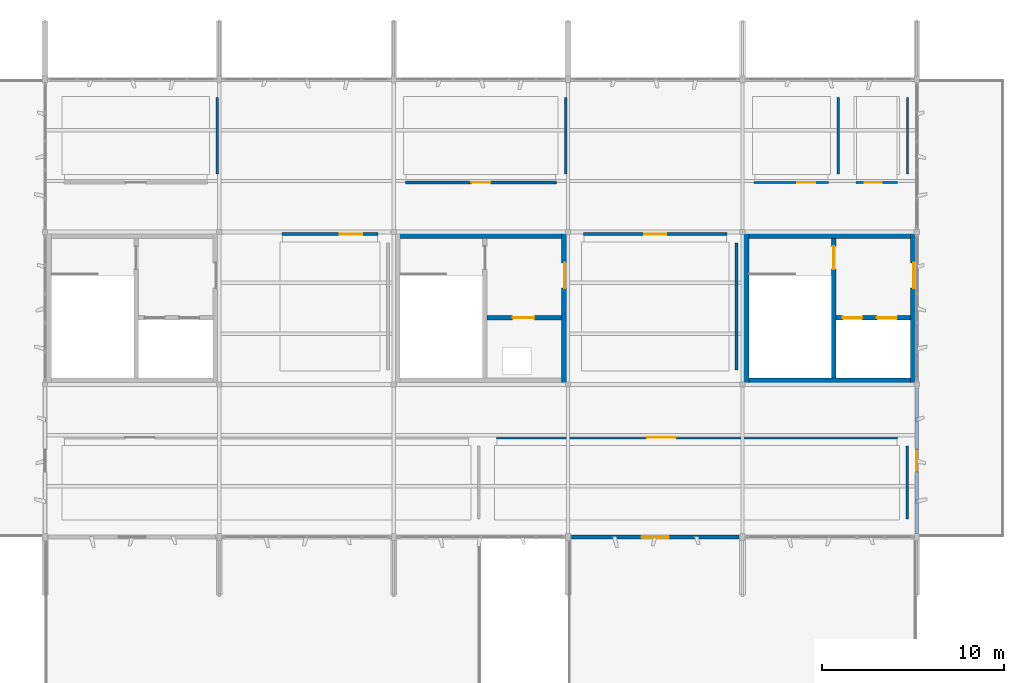
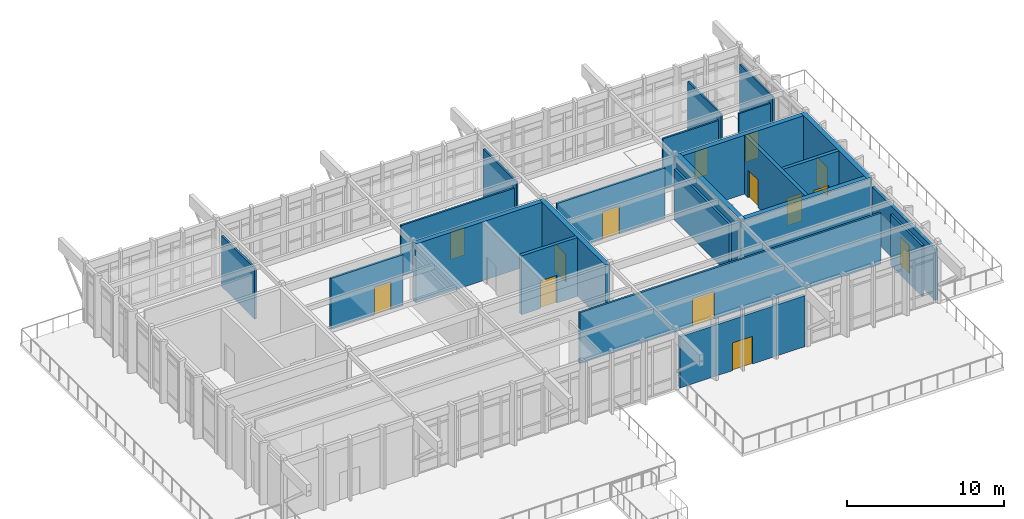
# One storey, part 16 of 19: 23 walls, 14 doors, 14 openings.
"""IFC4 building model written with IfcOpenShell, lengths in metres."""

from ifc_helpers import new_model, si_unit, direction, frame, frame_2d, origin, place, context, subcontext, project, spatial, rectangle, extrude, material, layer, layer_set, type_object, element, fill, save


model = new_model("IFC4")

# Units and contexts
model_context = context("Model", 3, precision=1e-05, world=origin(), true_north=direction((0.0, 1.0)))
body_context = subcontext(model_context, "Body", "Model", "MODEL_VIEW")
ifc_project = project(units=[si_unit("LENGTHUNIT", "METRE"), si_unit("AREAUNIT", "SQUARE_METRE"), si_unit("VOLUMEUNIT", "CUBIC_METRE"), si_unit("PLANEANGLEUNIT", "RADIAN"), si_unit("MASSUNIT", "GRAM", prefix="KILO")], contexts=[model_context])

# Site, building, storey
site_placement = place(None, origin())
site = spatial("IfcSite", under=ifc_project, at=site_placement, CompositionType="ELEMENT")
building_placement = place(site_placement, origin())
building = spatial("IfcBuilding", under=site, at=building_placement, Name="Kolvemor Railside Polytechnic", CompositionType="ELEMENT")
storey_placement = place(building_placement, frame((0.0, 0.0, 27.0)))
storey = spatial("IfcBuildingStorey", under=building, at=storey_placement, Name="L06", CompositionType="ELEMENT", Elevation=27.0)

# Walls
ifc_material_1 = material(Name="Concrete C40/50", Category="concrete")
ifc_layer_1 = layer(ifc_material_1, 0.35009765625, Name="WL-CORE-350")
ifc_layer_set_1 = layer_set([ifc_layer_1], Name="Concrete C40/50")
wall_type_1 = type_object("IfcWallType", Name="WL-CORE-350", PredefinedType="SHEAR", material=ifc_layer_set_1)
for number, where, z_axis, x_axis, name in (
    (1, (105.60009765625, 29.824951171875, 0.0), (0.0, 0.0, 1.0), (1.0, 0.0, 0.0), "CORE-2 North Core Wall L06"),
    (2, (105.60009765625, 21.77490234375, 0.0), (0.0, 0.0, 1.0), (1.0, 0.0, 0.0), "CORE-2 South Core Wall L06"),
):
    element("IfcWall", number, at=place(storey_placement, frame(where, z_axis=z_axis, x_axis=x_axis)), inside=storey, type_object=wall_type_1, Name=name, PredefinedType="SHEAR", context=body_context, shape_type="SweptSolid", body=[
        extrude(rectangle(XDim=9.599853515625, YDim=0.35009765625, at=frame_2d((4.7998046875, 0.0))), origin(), (0.0, 0.0, 1.0), 4.56494140625),
    ])
wall_1_placement = place(storey_placement, frame((105.77490234375, 21.60009765625, 0.0), z_axis=(0.0, 0.0, 1.0), x_axis=(0.0, 1.0, 0.0)))
element("IfcWall", 3, at=wall_1_placement, inside=storey, type_object=wall_type_1, Name="CORE-2 West Core Wall L06", PredefinedType="SHEAR", context=body_context, shape_type="SweptSolid", body=[
    extrude(rectangle(XDim=8.39990234375, YDim=0.35009765625, at=frame_2d((4.199951171875, 0.0))), origin(), (0.0, 0.0, 1.0), 4.56494140625),
])

# Wall, opening, door
wall_2_placement = place(storey_placement, frame((115.02490234375, 21.60009765625, 0.0), z_axis=(0.0, 0.0, 1.0), x_axis=(0.0, 1.0, 0.0)))
wall_2 = element("IfcWall", 4, at=wall_2_placement, inside=storey, type_object=wall_type_1, Name="CORE-2 East Core Wall L06", PredefinedType="SHEAR", context=body_context, shape_type="SweptSolid", body=[
    extrude(rectangle(XDim=8.39990234375, YDim=0.35009765625, at=frame_2d((4.199951171875, 0.0))), origin(), (0.0, 0.0, 1.0), 4.56494140625),
])
opening_1_placement = place(wall_2_placement, frame((5.300048828125, 0.0, 0.0)))
opening_1 = element("IfcOpeningElement", 5, at=opening_1_placement, cuts=wall_2, Name="Opening D-LOB-2-L06", PredefinedType="OPENING", context=body_context, shape_type="SweptSolid", body=[
    extrude(rectangle(XDim=1.39990234375, YDim=2.14990234375, at=frame_2d((0.699951171875, 1.074951171875))), frame((0.0, 0.18505859375, 0.0), z_axis=(0.0, -1.0, 0.0), x_axis=(1.0, 0.0, 0.0)), (0.0, 0.0, 1.0), 0.3701171875),
])
ifc_material_2 = material(Name="Fire-rated hardwood and brushed stainless-steel door", Category="steel")
door_type_1 = type_object("IfcDoorType", Name="DR-FD60-140x215", OperationType="NOTDEFINED", PredefinedType="DOOR", material=ifc_material_2)
door_1_placement = place(opening_1_placement, origin())
door_1 = element("IfcDoor", 6, at=door_1_placement, inside=storey, type_object=door_type_1, Name="Core Lobby Fire Door CORE-2 L06", OperationType="SINGLE_SWING_RIGHT", OverallHeight=2.14990234375, OverallWidth=1.39990234375, PredefinedType="DOOR", context=body_context, shape_type="SweptSolid", body=[
    extrude(rectangle(XDim=1.39990234375, YDim=2.14990234375, at=frame_2d((0.699951171875, 1.074951171875))), frame((0.0, 0.02490234375, 0.0), z_axis=(0.0, -1.0, 0.0), x_axis=(1.0, 0.0, 0.0)), (0.0, 0.0, 1.0), 0.050048828125),
])
fill(opening_1, door_1)

# Wall
wall_3_placement = place(storey_placement, frame((86.39990234375, 29.824951171875, 0.0), z_axis=(0.0, 0.0, 1.0), x_axis=(1.0, 0.0, 0.0)))
element("IfcWall", 7, at=wall_3_placement, inside=storey, type_object=wall_type_1, Name="CORE-3 North Core Wall L06", PredefinedType="SHEAR", context=body_context, shape_type="SweptSolid", body=[
    extrude(rectangle(XDim=9.60009765625, YDim=0.35009765625, at=frame_2d((4.800048828125, 0.0))), origin(), (0.0, 0.0, 1.0), 4.56494140625),
])

# Wall, opening, door
wall_4_placement = place(storey_placement, frame((95.824951171875, 21.60009765625, 0.0), z_axis=(0.0, 0.0, 1.0), x_axis=(0.0, 1.0, 0.0)))
wall_4 = element("IfcWall", 8, at=wall_4_placement, inside=storey, type_object=wall_type_1, Name="CORE-3 East Core Wall L06", PredefinedType="SHEAR", context=body_context, shape_type="SweptSolid", body=[
    extrude(rectangle(XDim=8.39990234375, YDim=0.35009765625, at=frame_2d((4.199951171875, 0.0))), origin(), (0.0, 0.0, 1.0), 4.56494140625),
])
opening_2_placement = place(wall_4_placement, frame((5.300048828125, 0.0, 0.0)))
opening_2 = element("IfcOpeningElement", 9, at=opening_2_placement, cuts=wall_4, Name="Opening D-LOB-3-L06", PredefinedType="OPENING", context=body_context, shape_type="SweptSolid", body=[
    extrude(rectangle(XDim=1.39990234375, YDim=2.14990234375, at=frame_2d((0.699951171875, 1.074951171875))), frame((0.0, 0.18505859375, 0.0), z_axis=(0.0, -1.0, 0.0), x_axis=(1.0, 0.0, 0.0)), (0.0, 0.0, 1.0), 0.3701171875),
])
door_2_placement = place(opening_2_placement, origin())
door_2 = element("IfcDoor", 10, at=door_2_placement, inside=storey, type_object=door_type_1, Name="Core Lobby Fire Door CORE-3 L06", OperationType="SINGLE_SWING_RIGHT", OverallHeight=2.14990234375, OverallWidth=1.39990234375, PredefinedType="DOOR", context=body_context, shape_type="SweptSolid", body=[
    extrude(rectangle(XDim=1.39990234375, YDim=2.14990234375, at=frame_2d((0.699951171875, 1.074951171875))), frame((0.0, 0.02490234375, 0.0), z_axis=(0.0, -1.0, 0.0), x_axis=(1.0, 0.0, 0.0)), (0.0, 0.0, 1.0), 0.050048828125),
])
fill(opening_2, door_2)

ifc_material_3 = material(Name="Cross-laminated timber CLT E1", Category="wood")
ifc_layer_2 = layer(ifc_material_3, 0.2099609375, Name="WL-EXT-TM-210")
ifc_layer_set_2 = layer_set([ifc_layer_2], Name="Cross-laminated timber CLT E1")
wall_type_2 = type_object("IfcWallType", Name="WL-EXT-TM-210", PredefinedType="SOLIDWALL", material=ifc_layer_set_2)
wall_5_placement = place(storey_placement, frame((96.199951171875, 13.199951171875, 0.0), z_axis=(0.0, 0.0, 1.0), x_axis=(1.0, 0.0, 0.0)))
wall_5 = element("IfcWall", 11, at=wall_5_placement, inside=storey, type_object=wall_type_2, Name="Exterior Wall L06-0183", PredefinedType="SOLIDWALL", context=body_context, shape_type="SweptSolid", body=[
    extrude(rectangle(XDim=9.199951171875, YDim=0.2099609375, at=frame_2d((4.60009765625, 0.0))), origin(), (0.0, 0.0, 1.0), 3.965087890625),
])
opening_3_placement = place(wall_5_placement, frame((3.85009765625, 0.0, 0.0)))
opening_3 = element("IfcOpeningElement", 12, at=opening_3_placement, cuts=wall_5, Name="Opening D-TER-L06SE", PredefinedType="OPENING", context=body_context, shape_type="SweptSolid", body=[
    extrude(rectangle(XDim=1.5, YDim=2.14990234375, at=frame_2d((0.75, 1.074951171875))), frame((0.0, 0.114990234375, 0.0), z_axis=(0.0, -1.0, 0.0), x_axis=(1.0, 0.0, 0.0)), (0.0, 0.0, 1.0), 0.22998046875),
])
ifc_material_4 = material(Name="Marine-grade thermally broken aluminium and laminated glass door", Category="aluminium")
door_type_2 = type_object("IfcDoorType", Name="DR-TER-150x215", OperationType="NOTDEFINED", PredefinedType="DOOR", material=ifc_material_4)
door_3_placement = place(opening_3_placement, origin())
door_3 = element("IfcDoor", 13, at=door_3_placement, inside=storey, type_object=door_type_2, Name="Exterior Door D-TER-L06SE", OperationType="SINGLE_SWING_RIGHT", OverallHeight=2.14990234375, OverallWidth=1.5, PredefinedType="DOOR", context=body_context, shape_type="SweptSolid", body=[
    extrude(rectangle(XDim=1.5, YDim=2.14990234375, at=frame_2d((0.75, 1.074951171875))), frame((0.0, 0.02490234375, 0.0), z_axis=(0.0, -1.0, 0.0), x_axis=(1.0, 0.0, 0.0)), (0.0, 0.0, 1.0), 0.050048828125),
])
fill(opening_3, door_3)

wall_6_placement = place(storey_placement, frame((115.199951171875, 13.39990234375, 0.0), z_axis=(0.0, 0.0, 1.0), x_axis=(0.0, 1.0, 0.0)))
wall_6 = element("IfcWall", 14, at=wall_6_placement, inside=storey, type_object=wall_type_2, Name="Exterior Wall L06-0185", PredefinedType="SOLIDWALL", context=body_context, shape_type="SweptSolid", body=[
    extrude(rectangle(XDim=8.0, YDim=0.2099609375, at=frame_2d((4.0, 0.0))), origin(), (0.0, 0.0, 1.0), 3.965087890625),
])
opening_4_placement = place(wall_6_placement, frame((3.39990234375, 0.0, 0.0)))
opening_4 = element("IfcOpeningElement", 15, at=opening_4_placement, cuts=wall_6, Name="Opening D-TER-L06E", PredefinedType="OPENING", context=body_context, shape_type="SweptSolid", body=[
    extrude(rectangle(XDim=1.199951171875, YDim=2.14990234375, at=frame_2d((0.60009765625, 1.074951171875))), frame((0.0, 0.114990234375, 0.0), z_axis=(0.0, -1.0, 0.0), x_axis=(1.0, 0.0, 0.0)), (0.0, 0.0, 1.0), 0.22998046875),
])
ifc_material_5 = material(Name="Marine-grade thermally broken aluminium and laminated glass door", Category="aluminium")
door_type_3 = type_object("IfcDoorType", Name="DR-TER-120x215", OperationType="NOTDEFINED", PredefinedType="DOOR", material=ifc_material_5)
door_4_placement = place(opening_4_placement, origin())
door_4 = element("IfcDoor", 16, at=door_4_placement, inside=storey, type_object=door_type_3, Name="Exterior Door D-TER-L06E", OperationType="SINGLE_SWING_RIGHT", OverallHeight=2.14990234375, OverallWidth=1.199951171875, PredefinedType="DOOR", context=body_context, shape_type="SweptSolid", body=[
    extrude(rectangle(XDim=1.199951171875, YDim=2.14990234375, at=frame_2d((0.60009765625, 1.074951171875))), frame((0.0, 0.02490234375, 0.0), z_axis=(0.0, -1.0, 0.0), x_axis=(1.0, 0.0, 0.0)), (0.0, 0.0, 1.0), 0.050048828125),
])
fill(opening_4, door_4)

ifc_material_6 = material(Name="Wet-area tile-backer partition")
ifc_layer_3 = layer(ifc_material_6, 0.1201171875, Name="WL-PART-120")
ifc_layer_set_3 = layer_set([ifc_layer_3], Name="Wet-area tile-backer partition")
wall_type_3 = type_object("IfcWallType", Name="WL-PART-120", PredefinedType="PARTITIONING", material=ifc_layer_set_3)
wall_7_placement = place(storey_placement, frame((111.85009765625, 32.719970703125, 0.0), z_axis=(0.0, 0.0, 1.0), x_axis=(1.0, 0.0, 0.0)))
wall_7 = element("IfcWall", 17, at=wall_7_placement, inside=storey, type_object=wall_type_3, Name="Partition Wall L06-0239", PredefinedType="PARTITIONING", context=body_context, shape_type="SweptSolid", body=[
    extrude(rectangle(XDim=2.2998046875, YDim=0.1201171875, at=frame_2d((1.14990234375, 0.0))), origin(), (0.0, 0.0, 1.0), 3.945068359375),
])
opening_5_placement = place(wall_7_placement, frame((0.48193359375, 0.0, 0.0)))
opening_5 = element("IfcOpeningElement", 18, at=opening_5_placement, cuts=wall_7, Name="Opening D-06135", PredefinedType="OPENING", context=body_context, shape_type="SweptSolid", body=[
    extrude(rectangle(XDim=0.949951171875, YDim=2.10009765625, at=frame_2d((0.47509765625, 1.050048828125))), frame((0.0, 0.070068359375, 0.0), z_axis=(0.0, -1.0, 0.0), x_axis=(1.0, 0.0, 0.0)), (0.0, 0.0, 1.0), 0.14013671875),
])
ifc_material_7 = material(Name="Solid hardwood acoustic door", Category="wood")
door_type_4 = type_object("IfcDoorType", Name="DR-WC-095x210", OperationType="NOTDEFINED", PredefinedType="DOOR", material=ifc_material_7)
door_5_placement = place(opening_5_placement, origin())
door_5 = element("IfcDoor", 19, at=door_5_placement, inside=storey, type_object=door_type_4, Name="Room Door D-06135 (Library Public and Accessible WC L06)", OperationType="SINGLE_SWING_RIGHT", OverallHeight=2.10009765625, OverallWidth=0.949951171875, PredefinedType="DOOR", context=body_context, shape_type="SweptSolid", body=[
    extrude(rectangle(XDim=0.949951171875, YDim=2.10009765625, at=frame_2d((0.47509765625, 1.050048828125))), frame((0.0, 0.02490234375, 0.0), z_axis=(0.0, -1.0, 0.0), x_axis=(1.0, 0.0, 0.0)), (0.0, 0.0, 1.0), 0.050048828125),
])
fill(opening_5, door_5)

# Wall
wall_8_placement = place(storey_placement, frame((114.679931640625, 33.199951171875, 0.0), z_axis=(0.0, 0.0, 1.0), x_axis=(0.0, 1.0, 0.0)))
element("IfcWall", 20, at=wall_8_placement, inside=storey, type_object=wall_type_3, Name="Demising Partition L06-0240", PredefinedType="PARTITIONING", context=body_context, shape_type="SweptSolid", body=[
    extrude(rectangle(XDim=4.199951171875, YDim=0.1201171875, at=frame_2d((2.10009765625, 0.0))), origin(), (0.0, 0.0, 1.0), 3.945068359375),
])

# Wall, opening, door
ifc_material_8 = material(Name="Departmental partition")
ifc_layer_4 = layer(ifc_material_8, 0.1298828125, Name="WL-PART-130")
ifc_layer_set_4 = layer_set([ifc_layer_4], Name="Departmental partition")
wall_type_4 = type_object("IfcWallType", Name="WL-PART-130", PredefinedType="PARTITIONING", material=ifc_layer_set_4)
wall_9_placement = place(storey_placement, frame((106.25, 32.719970703125, 0.0), z_axis=(0.0, 0.0, 1.0), x_axis=(1.0, 0.0, 0.0)))
wall_9 = element("IfcWall", 21, at=wall_9_placement, inside=storey, type_object=wall_type_4, Name="Partition Wall L06-0237", PredefinedType="PARTITIONING", context=body_context, shape_type="SweptSolid", body=[
    extrude(rectangle(XDim=4.10009765625, YDim=0.1298828125, at=frame_2d((2.050048828125, 0.0))), origin(), (0.0, 0.0, 1.0), 3.945068359375),
])
opening_6_placement = place(wall_9_placement, frame((2.3720703125, 0.0, 0.0)))
opening_6 = element("IfcOpeningElement", 22, at=opening_6_placement, cuts=wall_9, Name="Opening D-06134", PredefinedType="OPENING", context=body_context, shape_type="SweptSolid", body=[
    extrude(rectangle(XDim=0.97998046875, YDim=2.10009765625, at=frame_2d((0.489990234375, 1.050048828125))), frame((0.0, 0.074951171875, 0.0), z_axis=(0.0, -1.0, 0.0), x_axis=(1.0, 0.0, 0.0)), (0.0, 0.0, 1.0), 0.14990234375),
])
ifc_material_9 = material(Name="Solid hardwood acoustic door", Category="wood")
door_type_5 = type_object("IfcDoorType", Name="DR-ADM-098x210", OperationType="NOTDEFINED", PredefinedType="DOOR", material=ifc_material_9)
door_6_placement = place(opening_6_placement, origin())
door_6 = element("IfcDoor", 23, at=door_6_placement, inside=storey, type_object=door_type_5, Name="Room Door D-06134 (Technical Librarians and Digital Archive Suite)", OperationType="SINGLE_SWING_LEFT", OverallHeight=2.10009765625, OverallWidth=0.97998046875, PredefinedType="DOOR", context=body_context, shape_type="SweptSolid", body=[
    extrude(rectangle(XDim=0.97998046875, YDim=2.10009765625, at=frame_2d((0.489990234375, 1.050048828125))), frame((0.0, 0.02490234375, 0.0), z_axis=(0.0, -1.0, 0.0), x_axis=(1.0, 0.0, 0.0)), (0.0, 0.0, 1.0), 0.050048828125),
])
fill(opening_6, door_6)

# Walls
wall_10_placement = place(storey_placement, frame((110.8798828125, 33.199951171875, 0.0), z_axis=(0.0, 0.0, 1.0), x_axis=(0.0, 1.0, 0.0)))
element("IfcWall", 24, at=wall_10_placement, inside=storey, type_object=wall_type_4, Name="Demising Partition L06-0238", PredefinedType="PARTITIONING", context=body_context, shape_type="SweptSolid", body=[
    extrude(rectangle(XDim=4.199951171875, YDim=0.1298828125, at=frame_2d((2.10009765625, 0.0))), origin(), (0.0, 0.0, 1.0), 3.945068359375),
])
ifc_material_10 = material(Name="Seminar acoustic partition")
ifc_layer_5 = layer(ifc_material_10, 0.139892578125, Name="WL-PART-140")
ifc_layer_set_5 = layer_set([ifc_layer_5], Name="Seminar acoustic partition")
wall_type_5 = type_object("IfcWallType", Name="WL-PART-140", PredefinedType="PARTITIONING", material=ifc_layer_set_5)
wall_11_placement = place(storey_placement, frame((76.679931640625, 33.199951171875, 0.0), z_axis=(0.0, 0.0, 1.0), x_axis=(0.0, 1.0, 0.0)))
element("IfcWall", 25, at=wall_11_placement, inside=storey, type_object=wall_type_5, Name="Demising Partition L06-0234", PredefinedType="PARTITIONING", context=body_context, shape_type="SweptSolid", body=[
    extrude(rectangle(XDim=4.199951171875, YDim=0.139892578125, at=frame_2d((2.10009765625, 0.0))), origin(), (0.0, 0.0, 1.0), 3.945068359375),
])

# Wall, opening, door
wall_12_placement = place(storey_placement, frame((87.050048828125, 32.719970703125, 0.0), z_axis=(0.0, 0.0, 1.0), x_axis=(1.0, 0.0, 0.0)))
wall_12 = element("IfcWall", 26, at=wall_12_placement, inside=storey, type_object=wall_type_5, Name="Partition Wall L06-0235", PredefinedType="PARTITIONING", context=body_context, shape_type="SweptSolid", body=[
    extrude(rectangle(XDim=8.300048828125, YDim=0.139892578125, at=frame_2d((4.14990234375, 0.0))), origin(), (0.0, 0.0, 1.0), 3.945068359375),
])
opening_7_placement = place(wall_12_placement, frame((3.6298828125, 0.0, 0.0)))
opening_7 = element("IfcOpeningElement", 27, at=opening_7_placement, cuts=wall_12, Name="Opening D-06133", PredefinedType="OPENING", context=body_context, shape_type="SweptSolid", body=[
    extrude(rectangle(XDim=1.0400390625, YDim=2.14990234375, at=frame_2d((0.52001953125, 1.074951171875))), frame((0.0, 0.079833984375, 0.0), z_axis=(0.0, -1.0, 0.0), x_axis=(1.0, 0.0, 0.0)), (0.0, 0.0, 1.0), 0.159912109375),
])
ifc_material_11 = material(Name="Solid hardwood acoustic door", Category="wood")
door_type_6 = type_object("IfcDoorType", Name="DR-SEM-104x215", OperationType="NOTDEFINED", PredefinedType="DOOR", material=ifc_material_11)
door_7_placement = place(opening_7_placement, origin())
door_7 = element("IfcDoor", 28, at=door_7_placement, inside=storey, type_object=door_type_6, Name="Room Door D-06133 (Library Group Study Seminar Room 602)", OperationType="SINGLE_SWING_RIGHT", OverallHeight=2.14990234375, OverallWidth=1.0400390625, PredefinedType="DOOR", context=body_context, shape_type="SweptSolid", body=[
    extrude(rectangle(XDim=1.0400390625, YDim=2.14990234375, at=frame_2d((0.52001953125, 1.074951171875))), frame((0.0, 0.02490234375, 0.0), z_axis=(0.0, -1.0, 0.0), x_axis=(1.0, 0.0, 0.0)), (0.0, 0.0, 1.0), 0.050048828125),
])
fill(opening_7, door_7)

# Wall
wall_13_placement = place(storey_placement, frame((95.8798828125, 33.199951171875, 0.0), z_axis=(0.0, 0.0, 1.0), x_axis=(0.0, 1.0, 0.0)))
element("IfcWall", 29, at=wall_13_placement, inside=storey, type_object=wall_type_5, Name="Demising Partition L06-0236", PredefinedType="PARTITIONING", context=body_context, shape_type="SweptSolid", body=[
    extrude(rectangle(XDim=4.199951171875, YDim=0.139892578125, at=frame_2d((2.10009765625, 0.0))), origin(), (0.0, 0.0, 1.0), 3.945068359375),
])

# Wall, opening, door
ifc_material_12 = material(Name="Acoustic studio partition")
ifc_layer_6 = layer(ifc_material_12, 0.14990234375, Name="WL-PART-150")
ifc_layer_set_6 = layer_set([ifc_layer_6], Name="Acoustic studio partition")
wall_type_6 = type_object("IfcWallType", Name="WL-PART-150", PredefinedType="PARTITIONING", material=ifc_layer_set_6)
wall_14_placement = place(storey_placement, frame((92.050048828125, 18.679931640625, 0.0), z_axis=(0.0, 0.0, 1.0), x_axis=(1.0, 0.0, 0.0)))
wall_14 = element("IfcWall", 30, at=wall_14_placement, inside=storey, type_object=wall_type_6, Name="Partition Wall L06-0227", PredefinedType="PARTITIONING", context=body_context, shape_type="SweptSolid", body=[
    extrude(rectangle(XDim=22.099853515625, YDim=0.14990234375, at=frame_2d((11.0498046875, 0.0))), origin(), (0.0, 0.0, 1.0), 3.945068359375),
])
opening_8_placement = place(wall_14_placement, frame((8.280029296875, 0.0, 0.0)))
opening_8 = element("IfcOpeningElement", 31, at=opening_8_placement, cuts=wall_14, Name="Opening D-06129", PredefinedType="OPENING", context=body_context, shape_type="SweptSolid", body=[
    extrude(rectangle(XDim=1.60009765625, YDim=2.14990234375, at=frame_2d((0.800048828125, 1.074951171875))), frame((0.0, 0.0849609375, 0.0), z_axis=(0.0, -1.0, 0.0), x_axis=(1.0, 0.0, 0.0)), (0.0, 0.0, 1.0), 0.169921875),
])
ifc_material_13 = material(Name="Fire-rated hardwood and brushed stainless-steel door", Category="steel")
door_type_7 = type_object("IfcDoorType", Name="DR-FD60-160x215", OperationType="NOTDEFINED", PredefinedType="DOOR", material=ifc_material_13)
door_8_placement = place(opening_8_placement, origin())
door_8 = element("IfcDoor", 32, at=door_8_placement, inside=storey, type_object=door_type_7, Name="Room Door D-06129 (Library Reading Commons East)", OperationType="SINGLE_SWING_RIGHT", OverallHeight=2.14990234375, OverallWidth=1.60009765625, PredefinedType="DOOR", context=body_context, shape_type="SweptSolid", body=[
    extrude(rectangle(XDim=1.60009765625, YDim=2.14990234375, at=frame_2d((0.800048828125, 1.074951171875))), frame((0.0, 0.02490234375, 0.0), z_axis=(0.0, -1.0, 0.0), x_axis=(1.0, 0.0, 0.0)), (0.0, 0.0, 1.0), 0.050048828125),
])
fill(opening_8, door_8)

# Wall
wall_15_placement = place(storey_placement, frame((114.679931640625, 14.199951171875, 0.0), z_axis=(0.0, 0.0, 1.0), x_axis=(0.0, 1.0, 0.0)))
element("IfcWall", 33, at=wall_15_placement, inside=storey, type_object=wall_type_6, Name="Demising Partition L06-0228", PredefinedType="PARTITIONING", context=body_context, shape_type="SweptSolid", body=[
    extrude(rectangle(XDim=4.0, YDim=0.14990234375, at=frame_2d((2.0, 0.0))), origin(), (0.0, 0.0, 1.0), 3.945068359375),
])

# Wall, opening, door
ifc_material_14 = material(Name="Fire-rated laboratory corridor partition")
ifc_layer_7 = layer(ifc_material_14, 0.1650390625, Name="WL-PART-165")
ifc_layer_set_7 = layer_set([ifc_layer_7], Name="Fire-rated laboratory corridor partition")
wall_type_7 = type_object("IfcWallType", Name="WL-PART-165", PredefinedType="PARTITIONING", material=ifc_layer_set_7)
wall_16_placement = place(storey_placement, frame((80.25, 29.8798828125, 0.0), z_axis=(0.0, 0.0, 1.0), x_axis=(1.0, 0.0, 0.0)))
wall_16 = element("IfcWall", 34, at=wall_16_placement, inside=storey, type_object=wall_type_7, Name="Partition Wall L06-0229", PredefinedType="PARTITIONING", context=body_context, shape_type="SweptSolid", body=[
    extrude(rectangle(XDim=5.300048828125, YDim=0.1650390625, at=frame_2d((2.64990234375, 0.0))), origin(), (0.0, 0.0, 1.0), 3.945068359375),
])
opening_9_placement = place(wall_16_placement, frame((3.18798828125, 0.0, 0.0)))
opening_9 = element("IfcOpeningElement", 35, at=opening_9_placement, cuts=wall_16, Name="Opening D-06130", PredefinedType="OPENING", context=body_context, shape_type="SweptSolid", body=[
    extrude(rectangle(XDim=1.219970703125, YDim=2.14990234375, at=frame_2d((0.60986328125, 1.074951171875))), frame((0.0, 0.092529296875, 0.0), z_axis=(0.0, -1.0, 0.0), x_axis=(1.0, 0.0, 0.0)), (0.0, 0.0, 1.0), 0.18505859375),
])
ifc_material_15 = material(Name="Fire-rated hardwood and brushed stainless-steel door", Category="steel")
door_type_8 = type_object("IfcDoorType", Name="DR-LAB-122x215", OperationType="NOTDEFINED", PredefinedType="DOOR", material=ifc_material_15)
door_9_placement = place(opening_9_placement, origin())
door_9 = element("IfcDoor", 36, at=door_9_placement, inside=storey, type_object=door_type_8, Name="Room Door D-06130 (Library Open Stacks Central)", OperationType="SINGLE_SWING_LEFT", OverallHeight=2.14990234375, OverallWidth=1.219970703125, PredefinedType="DOOR", context=body_context, shape_type="SweptSolid", body=[
    extrude(rectangle(XDim=1.219970703125, YDim=2.14990234375, at=frame_2d((0.60986328125, 1.074951171875))), frame((0.0, 0.02490234375, 0.0), z_axis=(0.0, -1.0, 0.0), x_axis=(1.0, 0.0, 0.0)), (0.0, 0.0, 1.0), 0.050048828125),
])
fill(opening_9, door_9)

wall_17_placement = place(storey_placement, frame((96.85009765625, 29.8798828125, 0.0), z_axis=(0.0, 0.0, 1.0), x_axis=(1.0, 0.0, 0.0)))
wall_17 = element("IfcWall", 37, at=wall_17_placement, inside=storey, type_object=wall_type_7, Name="Partition Wall L06-0231", PredefinedType="PARTITIONING", context=body_context, shape_type="SweptSolid", body=[
    extrude(rectangle(XDim=7.89990234375, YDim=0.1650390625, at=frame_2d((3.949951171875, 0.0))), origin(), (0.0, 0.0, 1.0), 3.945068359375),
])
opening_10_placement = place(wall_17_placement, frame((3.340087890625, 0.0, 0.0)))
opening_10 = element("IfcOpeningElement", 38, at=opening_10_placement, cuts=wall_17, Name="Opening D-06131", PredefinedType="OPENING", context=body_context, shape_type="SweptSolid", body=[
    extrude(rectangle(XDim=1.219970703125, YDim=2.14990234375, at=frame_2d((0.60986328125, 1.074951171875))), frame((0.0, 0.092529296875, 0.0), z_axis=(0.0, -1.0, 0.0), x_axis=(1.0, 0.0, 0.0)), (0.0, 0.0, 1.0), 0.18505859375),
])
door_10_placement = place(opening_10_placement, origin())
door_10 = element("IfcDoor", 39, at=door_10_placement, inside=storey, type_object=door_type_8, Name="Room Door D-06131 (Library Open Stacks East)", OperationType="SINGLE_SWING_RIGHT", OverallHeight=2.14990234375, OverallWidth=1.219970703125, PredefinedType="DOOR", context=body_context, shape_type="SweptSolid", body=[
    extrude(rectangle(XDim=1.219970703125, YDim=2.14990234375, at=frame_2d((0.60986328125, 1.074951171875))), frame((0.0, 0.02490234375, 0.0), z_axis=(0.0, -1.0, 0.0), x_axis=(1.0, 0.0, 0.0)), (0.0, 0.0, 1.0), 0.050048828125),
])
fill(opening_10, door_10)

# Wall
wall_18_placement = place(storey_placement, frame((105.280029296875, 22.39990234375, 0.0), z_axis=(0.0, 0.0, 1.0), x_axis=(0.0, 1.0, 0.0)))
element("IfcWall", 40, at=wall_18_placement, inside=storey, type_object=wall_type_7, Name="Demising Partition L06-0232", PredefinedType="PARTITIONING", context=body_context, shape_type="SweptSolid", body=[
    extrude(rectangle(XDim=7.0, YDim=0.1650390625, at=frame_2d((3.5, 0.0))), origin(), (0.0, 0.0, 1.0), 3.945068359375),
])

# Wall, opening, door
ifc_material_16 = material(Name="Concrete C40/50", Category="concrete")
ifc_layer_8 = layer(ifc_material_16, 0.25, Name="WL-SHFT-250")
ifc_layer_set_8 = layer_set([ifc_layer_8], Name="Concrete C40/50")
wall_type_8 = type_object("IfcWallType", Name="WL-SHFT-250", PredefinedType="SHEAR", material=ifc_layer_set_8)
wall_19_placement = place(storey_placement, frame((110.625, 29.64990234375, 0.0), z_axis=(0.0, 0.0, 1.0), x_axis=(0.0, -1.0, 0.0)))
wall_19 = element("IfcWall", 41, at=wall_19_placement, inside=storey, type_object=wall_type_8, Name="CORE-2 Stair-Lobby Divider Wall L06", PredefinedType="SHEAR", context=body_context, shape_type="SweptSolid", body=[
    extrude(rectangle(XDim=7.699951171875, YDim=0.25, at=frame_2d((3.85009765625, 0.0))), origin(), (0.0, 0.0, 1.0), 4.56494140625),
])
opening_11_placement = place(wall_19_placement, frame((0.449951171875, 0.0, 0.0)))
opening_11 = element("IfcOpeningElement", 42, at=opening_11_placement, cuts=wall_19, Name="Opening D-ST-2-L06", PredefinedType="OPENING", context=body_context, shape_type="SweptSolid", body=[
    extrude(rectangle(XDim=1.25, YDim=2.14990234375, at=frame_2d((0.625, 1.074951171875))), frame((0.0, 0.135009765625, 0.0), z_axis=(0.0, -1.0, 0.0), x_axis=(1.0, 0.0, 0.0)), (0.0, 0.0, 1.0), 0.27001953125),
])
ifc_material_17 = material(Name="Fire-rated hardwood and brushed stainless-steel door", Category="steel")
door_type_9 = type_object("IfcDoorType", Name="DR-FD90-125x215", OperationType="NOTDEFINED", PredefinedType="DOOR", material=ifc_material_17)
door_11_placement = place(opening_11_placement, origin())
door_11 = element("IfcDoor", 43, at=door_11_placement, inside=storey, type_object=door_type_9, Name="Stair Fire Door ST-2 L06", OperationType="SINGLE_SWING_RIGHT", OverallHeight=2.14990234375, OverallWidth=1.25, PredefinedType="DOOR", context=body_context, shape_type="SweptSolid", body=[
    extrude(rectangle(XDim=1.25, YDim=2.14990234375, at=frame_2d((0.625, 1.074951171875))), frame((0.0, 0.02490234375, 0.0), z_axis=(0.0, -1.0, 0.0), x_axis=(1.0, 0.0, 0.0)), (0.0, 0.0, 1.0), 0.050048828125),
])
fill(opening_11, door_11)

# Wall, openings, doors
wall_20_placement = place(storey_placement, frame((110.75, 25.27490234375, 0.0), z_axis=(0.0, 0.0, 1.0), x_axis=(1.0, 0.0, 0.0)))
wall_20 = element("IfcWall", 44, at=wall_20_placement, inside=storey, type_object=wall_type_8, Name="CORE-2 Lift Shaft Front Wall L06", PredefinedType="SHEAR", context=body_context, shape_type="SweptSolid", body=[
    extrude(rectangle(XDim=4.10009765625, YDim=0.25, at=frame_2d((2.050048828125, 0.0))), origin(), (0.0, 0.0, 1.0), 4.56494140625),
])
opening_12_placement = place(wall_20_placement, frame((0.35009765625, 0.0, 0.0)))
opening_12 = element("IfcOpeningElement", 45, at=opening_12_placement, cuts=wall_20, Name="Opening LD-FL-2-L06", PredefinedType="OPENING", context=body_context, shape_type="SweptSolid", body=[
    extrude(rectangle(XDim=1.10009765625, YDim=2.14990234375, at=frame_2d((0.550048828125, 1.074951171875))), frame((0.0, 0.135009765625, 0.0), z_axis=(0.0, -1.0, 0.0), x_axis=(1.0, 0.0, 0.0)), (0.0, 0.0, 1.0), 0.27001953125),
])
opening_13_placement = place(wall_20_placement, frame((2.25, 0.0, 0.0)))
opening_13 = element("IfcOpeningElement", 46, at=opening_13_placement, cuts=wall_20, Name="Opening LD-PL-2-L06", PredefinedType="OPENING", context=body_context, shape_type="SweptSolid", body=[
    extrude(rectangle(XDim=1.10009765625, YDim=2.14990234375, at=frame_2d((0.550048828125, 1.074951171875))), frame((0.0, 0.135009765625, 0.0), z_axis=(0.0, -1.0, 0.0), x_axis=(1.0, 0.0, 0.0)), (0.0, 0.0, 1.0), 0.27001953125),
])
ifc_material_18 = material(Name="Fire-rated hardwood and brushed stainless-steel door", Category="steel")
door_type_10 = type_object("IfcDoorType", Name="DR-LIFT-110x215", OperationType="SLIDING_TO_LEFT", PredefinedType="DOOR", material=ifc_material_18)
door_12_placement = place(opening_12_placement, origin())
door_12 = element("IfcDoor", 47, at=door_12_placement, inside=storey, type_object=door_type_10, Name="Lift Landing Sliding Door FL-2 L06", OperationType="SLIDING_TO_LEFT", OverallHeight=2.14990234375, OverallWidth=1.10009765625, PredefinedType="DOOR", context=body_context, shape_type="SweptSolid", body=[
    extrude(rectangle(XDim=1.10009765625, YDim=2.14990234375, at=frame_2d((0.550048828125, 1.074951171875))), frame((0.0, 0.02490234375, 0.0), z_axis=(0.0, -1.0, 0.0), x_axis=(1.0, 0.0, 0.0)), (0.0, 0.0, 1.0), 0.050048828125),
])
fill(opening_12, door_12)
door_13_placement = place(opening_13_placement, origin())
door_13 = element("IfcDoor", 48, at=door_13_placement, inside=storey, type_object=door_type_10, Name="Lift Landing Sliding Door PL-2 L06", OperationType="SLIDING_TO_LEFT", OverallHeight=2.14990234375, OverallWidth=1.10009765625, PredefinedType="DOOR", context=body_context, shape_type="SweptSolid", body=[
    extrude(rectangle(XDim=1.10009765625, YDim=2.14990234375, at=frame_2d((0.550048828125, 1.074951171875))), frame((0.0, 0.02490234375, 0.0), z_axis=(0.0, -1.0, 0.0), x_axis=(1.0, 0.0, 0.0)), (0.0, 0.0, 1.0), 0.050048828125),
])
fill(opening_13, door_13)

# Wall, opening, door
wall_21_placement = place(storey_placement, frame((91.550048828125, 25.27490234375, 0.0), z_axis=(0.0, 0.0, 1.0), x_axis=(1.0, 0.0, 0.0)))
wall_21 = element("IfcWall", 49, at=wall_21_placement, inside=storey, type_object=wall_type_8, Name="CORE-3 Lift Shaft Front Wall L06", PredefinedType="SHEAR", context=body_context, shape_type="SweptSolid", body=[
    extrude(rectangle(XDim=4.099853515625, YDim=0.25, at=frame_2d((2.0498046875, 0.0))), origin(), (0.0, 0.0, 1.0), 4.56494140625),
])
opening_14_placement = place(wall_21_placement, frame((1.39990234375, 0.0, 0.0)))
opening_14 = element("IfcOpeningElement", 50, at=opening_14_placement, cuts=wall_21, Name="Opening D-RSR-3-L06", PredefinedType="OPENING", context=body_context, shape_type="SweptSolid", body=[
    extrude(rectangle(XDim=1.199951171875, YDim=2.14990234375, at=frame_2d((0.60009765625, 1.074951171875))), frame((0.0, 0.135009765625, 0.0), z_axis=(0.0, -1.0, 0.0), x_axis=(1.0, 0.0, 0.0)), (0.0, 0.0, 1.0), 0.27001953125),
])
ifc_material_19 = material(Name="Fire-rated hardwood and brushed stainless-steel door", Category="steel")
door_type_11 = type_object("IfcDoorType", Name="DR-FD60-120x215", OperationType="NOTDEFINED", PredefinedType="DOOR", material=ifc_material_19)
door_14_placement = place(opening_14_placement, origin())
door_14 = element("IfcDoor", 51, at=door_14_placement, inside=storey, type_object=door_type_11, Name="Riser Fire Door CORE-3 L06", OperationType="SINGLE_SWING_LEFT", OverallHeight=2.14990234375, OverallWidth=1.199951171875, PredefinedType="DOOR", context=body_context, shape_type="SweptSolid", body=[
    extrude(rectangle(XDim=1.199951171875, YDim=2.14990234375, at=frame_2d((0.60009765625, 1.074951171875))), frame((0.0, 0.02490234375, 0.0), z_axis=(0.0, -1.0, 0.0), x_axis=(1.0, 0.0, 0.0)), (0.0, 0.0, 1.0), 0.050048828125),
])
fill(opening_14, door_14)

save(model, "model.ifc")
